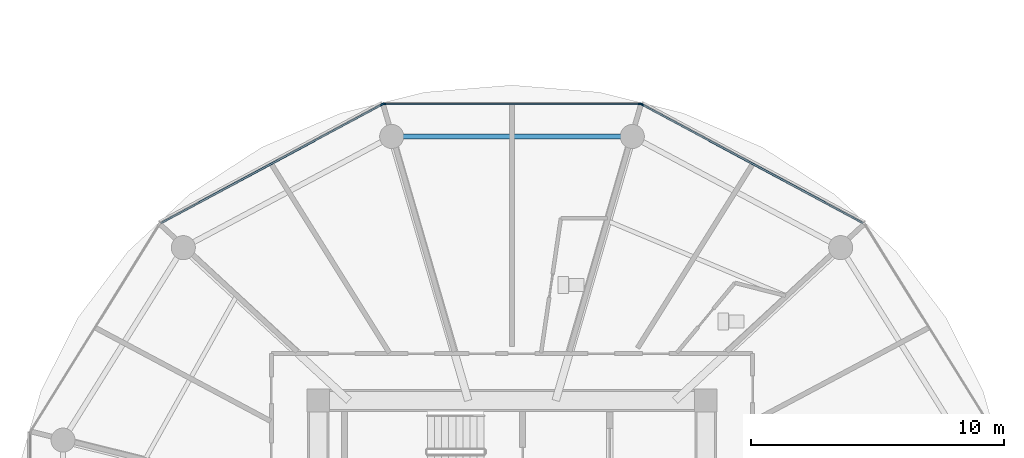
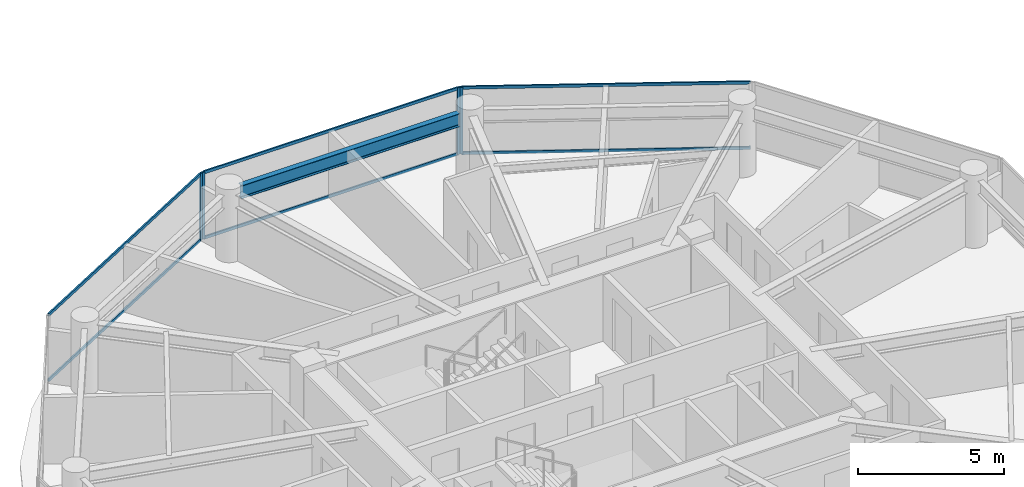
# One storey, part 9 of 27: 10 members, 1 beam, 3 elements without a shape of their own.
"""IFC4 building model written with IfcOpenShell, lengths in metres."""

from ifc_helpers import new_model, si_unit, direction, frame, origin, origin_2d, place, context, subcontext, project, spatial, rectangle, i_section, extrude, source, transform, mapped, material, layer, layer_set, material_profile, profile_set, type_object, type_shapes, element, aggregate, save


model = new_model("IFC4")

# Units and contexts
model_context = context("Model", 3, precision=1e-05, world=origin(), true_north=direction((0.0, 1.0)))
body_context = subcontext(model_context, "Body", "Model", "MODEL_VIEW")
ifc_project = project(units=[si_unit("LENGTHUNIT", "METRE"), si_unit("AREAUNIT", "SQUARE_METRE"), si_unit("VOLUMEUNIT", "CUBIC_METRE"), si_unit("PLANEANGLEUNIT", "RADIAN"), si_unit("MASSUNIT", "GRAM", prefix="KILO")], contexts=[model_context])

# Site, building, storey
site_placement = place(None, origin())
site = spatial("IfcSite", under=ifc_project, at=site_placement, CompositionType="ELEMENT")
building_placement = place(site_placement, origin())
building = spatial("IfcBuilding", under=site, at=building_placement, Name="Norrkilde Senior Care Towers", CompositionType="ELEMENT")
storey_placement = place(building_placement, frame((0.0, 0.0, 52.10009765625)))
storey = spatial("IfcBuildingStorey", under=building, at=storey_placement, Name="L15", CompositionType="ELEMENT", Elevation=52.10009765625)

# Beam
ifc_material_1 = material(Name="Steel S355", Category="steel")
ifc_material_profile_1 = material_profile(ifc_material_1, i_section(OverallWidth=0.2099609375, OverallDepth=0.550048828125, WebThickness=0.010986328125, FlangeThickness=0.01708984375, FilletRadius=0.02392578125, at=origin_2d()), Name="IPE 550")
ifc_profile_set_1 = profile_set([ifc_material_profile_1], Name="Steel S355")
beam_type = type_object("IfcBeamType", Name="Perimeter Ring Spandrel Z1 IPE550", PredefinedType="SPANDREL", material=ifc_profile_set_1)
shared_shape_1 = source(origin(), body_context, "Body", "SweptSolid", [
    extrude(i_section(OverallWidth=0.2099609375, OverallDepth=0.550048828125, WebThickness=0.010986328125, FlangeThickness=0.01708984375, FilletRadius=0.02392578125, at=origin_2d()), origin(), (0.0, 0.0, 1.0), 8.62841796875),
])
type_shapes(beam_type, [shared_shape_1])
beam_placement = place(storey_placement, frame((-23.685791015625, 16.37255859375, 2.514892578125), z_axis=(-1.0, 0.0, 0.0), x_axis=(0.0, -1.0, 0.0)))
element("IfcBeam", 1, at=beam_placement, inside=storey, type_object=beam_type, Name="L15 Drum W Perimeter Spandrel 03", PredefinedType="SPANDREL", context=body_context, shape_type="MappedRepresentation", body=[
    mapped(shared_shape_1, transform((0.0, 0.0, 0.0), x_axis=(1.0, 0.0, 0.0), y_axis=(0.0, 1.0, 0.0), z_axis=(0.0, 0.0, 1.0), scale=1.0)),
])

# Curtain wall, member
ifc_material_2 = material(Name="Triple Low-E Insulated Glazing", Category="glass")
ifc_layer = layer(ifc_material_2, 0.199951171875)
ifc_layer_set = layer_set([ifc_layer], Name="Triple Low-E Insulated Glazing")
curtain_wall_type = type_object("IfcCurtainWallType", Name="CW2 Zone 1 Memory Care Curtain Wall", PredefinedType="NOTDEFINED", material=ifc_layer_set)
curtain_wall_1_placement = place(storey_placement, origin())
curtain_wall_1 = element("IfcCurtainWall", 2, at=curtain_wall_1_placement, inside=storey, type_object=curtain_wall_type, Name="L15 Drum W Curtain Wall 01", PredefinedType="NOTDEFINED")
ifc_material_3 = material(Name="Anodised Aluminium", Category="aluminium")
ifc_material_profile_2 = material_profile(ifc_material_3, rectangle(XDim=0.06494140625, YDim=0.159912109375, at=origin_2d()), Name="ALU MULL 65x160")
ifc_profile_set_2 = profile_set([ifc_material_profile_2], Name="Anodised Aluminium")
member_type_1 = type_object("IfcMemberType", Name="Curtain Wall Mullion Z1-Z2 65x160", PredefinedType="MULLION", material=ifc_profile_set_2)
shared_shape_2 = source(origin(), body_context, "Body", "SweptSolid", [
    extrude(rectangle(XDim=0.06494140625, YDim=0.159912109375, at=origin_2d()), origin(), (0.0, 0.0, 1.0), 2.789794921875),
])
type_shapes(member_type_1, [shared_shape_2])
member_1_placement = place(storey_placement, frame((-22.877685546875, 17.641845703125, 0.0), z_axis=(0.0, 0.0, 1.0), x_axis=(0.472607802456, 0.881272866403, 0.0)))
member_1 = element("IfcMember", 3, at=member_1_placement, type_object=member_type_1, Name="CW-2 mullion 1", PredefinedType="MULLION", context=body_context, shape_type="MappedRepresentation", body=[
    mapped(shared_shape_2, transform((0.0, 0.0, 0.0), x_axis=(1.0, 0.0, 0.0), y_axis=(0.0, 1.0, 0.0), z_axis=(0.0, 0.0, 1.0), scale=1.0)),
])

# Curtain wall, members
curtain_wall_2_placement = place(storey_placement, origin())
curtain_wall_2 = element("IfcCurtainWall", 4, at=curtain_wall_2_placement, inside=storey, type_object=curtain_wall_type, Name="L15 Drum W Curtain Wall 02", PredefinedType="NOTDEFINED")
member_2_placement = place(storey_placement, frame((-33.06103515625, 17.6572265625, 0.0), z_axis=(0.0, 0.0, 1.0), x_axis=(0.0, 1.0, 0.0)))
member_2 = element("IfcMember", 5, at=member_2_placement, type_object=member_type_1, Name="CW-2 mullion 1", PredefinedType="MULLION", context=body_context, shape_type="MappedRepresentation", body=[
    mapped(shared_shape_2, transform((0.0, 0.0, 0.0), x_axis=(1.0, 0.0, 0.0), y_axis=(0.0, 1.0, 0.0), z_axis=(0.0, 0.0, 1.0), scale=1.0)),
])
member_3_placement = place(storey_placement, frame((-22.93896484375, 17.6572265625, 0.0), z_axis=(0.0, 0.0, 1.0), x_axis=(0.0, 1.0, 0.0)))
member_3 = element("IfcMember", 6, at=member_3_placement, type_object=member_type_1, Name="CW-2 mullion 2", PredefinedType="MULLION", context=body_context, shape_type="MappedRepresentation", body=[
    mapped(shared_shape_2, transform((0.0, 0.0, 0.0), x_axis=(1.0, 0.0, 0.0), y_axis=(0.0, 1.0, 0.0), z_axis=(0.0, 0.0, 1.0), scale=1.0)),
])

# Curtain wall, member
curtain_wall_3_placement = place(storey_placement, origin())
curtain_wall_3 = element("IfcCurtainWall", 7, at=curtain_wall_3_placement, inside=storey, type_object=curtain_wall_type, Name="L15 Drum W Curtain Wall 03", PredefinedType="NOTDEFINED")
member_4_placement = place(storey_placement, frame((-33.122314453125, 17.641845703125, 0.0), z_axis=(0.0, 0.0, 1.0), x_axis=(-0.472607802456, 0.881272866403, 0.0)))
member_4 = element("IfcMember", 8, at=member_4_placement, type_object=member_type_1, Name="CW-2 mullion 2", PredefinedType="MULLION", context=body_context, shape_type="MappedRepresentation", body=[
    mapped(shared_shape_2, transform((0.0, 0.0, 0.0), x_axis=(1.0, 0.0, 0.0), y_axis=(0.0, 1.0, 0.0), z_axis=(0.0, 0.0, 1.0), scale=1.0)),
])

# Member
ifc_material_profile_3 = material_profile(ifc_material_3, rectangle(XDim=0.06005859375, YDim=0.1201171875, at=origin_2d()), Name="ALU TRAN 60x120")
ifc_profile_set_3 = profile_set([ifc_material_profile_3], Name="Anodised Aluminium")
member_type_2 = type_object("IfcMemberType", Name="Curtain Wall Transom Typical 60x120", PredefinedType="USERDEFINED", material=ifc_profile_set_3)
shared_shape_3 = source(origin(), body_context, "Body", "SweptSolid", [
    extrude(rectangle(XDim=0.06005859375, YDim=0.1201171875, at=origin_2d()), origin(), (0.0, 0.0, 1.0), 9.880859375),
])
member_5_placement = place(storey_placement, frame((-22.84912109375, 17.62646484375, 0.02978515625), z_axis=(0.881267204043, -0.47261836092, 0.0), x_axis=(0.47261836092, 0.881267204043, 0.0)))
member_5 = element("IfcMember", 9, at=member_5_placement, type_object=member_type_2, Name="CW-2 transom 1.1", ObjectType="TRANSOM", PredefinedType="USERDEFINED", context=body_context, shape_type="MappedRepresentation", body=[
    mapped(shared_shape_3, transform((0.0, 0.0, 0.0), x_axis=(1.0, 0.0, 0.0), y_axis=(0.0, 1.0, 0.0), z_axis=(0.0, 0.0, 1.0), scale=1.0)),
])

member_6_placement = place(storey_placement, frame((-22.84912109375, 17.62646484375, 2.760009765625), z_axis=(0.881267204043, -0.47261836092, 0.0), x_axis=(0.47261836092, 0.881267204043, 0.0)))
member_6 = element("IfcMember", 10, at=member_6_placement, type_object=member_type_2, Name="CW-2 transom 1.2", ObjectType="TRANSOM", PredefinedType="USERDEFINED", context=body_context, shape_type="MappedRepresentation", body=[
    mapped(shared_shape_3, transform((0.0, 0.0, 0.0), x_axis=(1.0, 0.0, 0.0), y_axis=(0.0, 1.0, 0.0), z_axis=(0.0, 0.0, 1.0), scale=1.0)),
])

aggregate(curtain_wall_1, [member_1, member_5, member_6])

member_7_placement = place(storey_placement, frame((-41.858642578125, 12.95654296875, 0.02978515625), z_axis=(0.881267204043, 0.47261836092, 0.0), x_axis=(-0.47261836092, 0.881267204043, 0.0)))
member_7 = element("IfcMember", 11, at=member_7_placement, type_object=member_type_2, Name="CW-2 transom 1.1", ObjectType="TRANSOM", PredefinedType="USERDEFINED", context=body_context, shape_type="MappedRepresentation", body=[
    mapped(shared_shape_3, transform((0.0, 0.0, 0.0), x_axis=(1.0, 0.0, 0.0), y_axis=(0.0, 1.0, 0.0), z_axis=(0.0, 0.0, 1.0), scale=1.0)),
])

member_8_placement = place(storey_placement, frame((-41.858642578125, 12.95654296875, 2.760009765625), z_axis=(0.881267204043, 0.47261836092, 0.0), x_axis=(-0.47261836092, 0.881267204043, 0.0)))
member_8 = element("IfcMember", 12, at=member_8_placement, type_object=member_type_2, Name="CW-2 transom 1.2", ObjectType="TRANSOM", PredefinedType="USERDEFINED", context=body_context, shape_type="MappedRepresentation", body=[
    mapped(shared_shape_3, transform((0.0, 0.0, 0.0), x_axis=(1.0, 0.0, 0.0), y_axis=(0.0, 1.0, 0.0), z_axis=(0.0, 0.0, 1.0), scale=1.0)),
])

aggregate(curtain_wall_3, [member_4, member_7, member_8])

shared_shape_4 = source(origin(), body_context, "Body", "SweptSolid", [
    extrude(rectangle(XDim=0.06005859375, YDim=0.1201171875, at=origin_2d()), origin(), (0.0, 0.0, 1.0), 10.05712890625),
])
type_shapes(member_type_2, [shared_shape_3, shared_shape_4])
member_9_placement = place(storey_placement, frame((-33.028564453125, 17.6572265625, 0.02978515625), z_axis=(1.0, 0.0, 0.0), x_axis=(0.0, 1.0, 0.0)))
member_9 = element("IfcMember", 13, at=member_9_placement, type_object=member_type_2, Name="CW-2 transom 1.1", ObjectType="TRANSOM", PredefinedType="USERDEFINED", context=body_context, shape_type="MappedRepresentation", body=[
    mapped(shared_shape_4, transform((0.0, 0.0, 0.0), x_axis=(1.0, 0.0, 0.0), y_axis=(0.0, 1.0, 0.0), z_axis=(0.0, 0.0, 1.0), scale=1.0)),
])

member_10_placement = place(storey_placement, frame((-33.028564453125, 17.6572265625, 2.760009765625), z_axis=(1.0, 0.0, 0.0), x_axis=(0.0, 1.0, 0.0)))
member_10 = element("IfcMember", 14, at=member_10_placement, type_object=member_type_2, Name="CW-2 transom 1.2", ObjectType="TRANSOM", PredefinedType="USERDEFINED", context=body_context, shape_type="MappedRepresentation", body=[
    mapped(shared_shape_4, transform((0.0, 0.0, 0.0), x_axis=(1.0, 0.0, 0.0), y_axis=(0.0, 1.0, 0.0), z_axis=(0.0, 0.0, 1.0), scale=1.0)),
])

aggregate(curtain_wall_2, [member_2, member_3, member_9, member_10])

save(model, "model.ifc")
